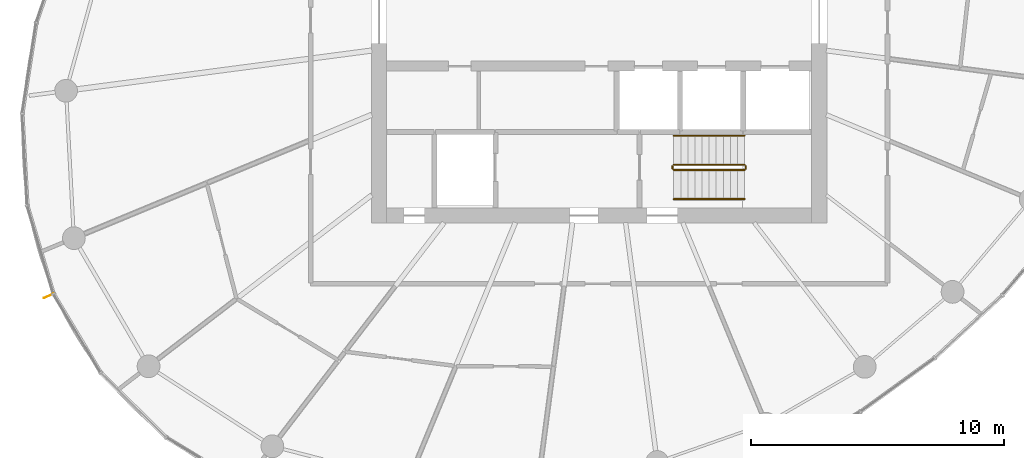
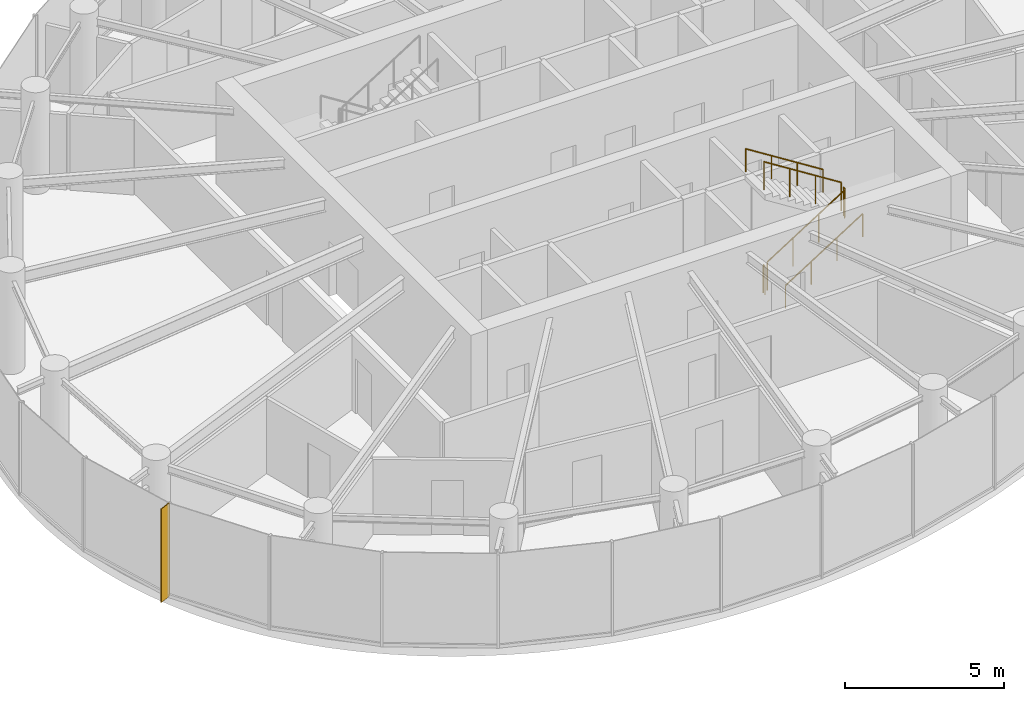
# One storey, part 13 of 14: 6 railings, 1 shading device.
"""IFC4 building model written with IfcOpenShell, lengths in metres."""

from ifc_helpers import new_model, si_unit, direction, frame, origin, origin_2d, place, context, subcontext, project, spatial, rectangle, circle, extrude, source, transform, mapped, material, material_profile, profile_set, type_object, element, save


model = new_model("IFC4")

# Units and contexts
model_context = context("Model", 3, precision=1e-05, world=origin(), true_north=direction((0.0, 1.0)))
body_context = subcontext(model_context, "Body", "Model", "MODEL_VIEW")
ifc_project = project(units=[si_unit("LENGTHUNIT", "METRE"), si_unit("AREAUNIT", "SQUARE_METRE"), si_unit("VOLUMEUNIT", "CUBIC_METRE"), si_unit("PLANEANGLEUNIT", "RADIAN"), si_unit("MASSUNIT", "GRAM", prefix="KILO")], contexts=[model_context])

# Site, building, storey
site_placement = place(None, origin())
site = spatial("IfcSite", under=ifc_project, at=site_placement, CompositionType="ELEMENT")
building_placement = place(site_placement, origin())
building = spatial("IfcBuilding", under=site, at=building_placement, Name="Spindrift Exchange Tower", CompositionType="ELEMENT")
storey_placement = place(building_placement, frame((0.0, 0.0, 203.300048828125)))
storey = spatial("IfcBuildingStorey", under=building, at=storey_placement, Name="L49", CompositionType="ELEMENT", Elevation=203.300048828125)

# Railings
ifc_material_1 = material(Name="Steel balustrade", Category="steel")
railing_type_1 = type_object("IfcRailingType", Name="RL-STAIR-GUARD", PredefinedType="GUARDRAIL", material=ifc_material_1)
railing_1_placement = place(storey_placement, frame((54.949951171875, 42.10009765625, 0.17724609375)))
element("IfcRailing", 1, at=railing_1_placement, inside=storey, type_object=railing_type_1, Name="L49 ST2 stair guard 1", PredefinedType="GUARDRAIL", context=body_context, shape_type="SweptSolid", body=[
    extrude(circle(Radius=0.02392578125, at=origin_2d()), frame((0.0, 0.0, 1.076171875), z_axis=(0.844908973607, 0.0, 0.534910110503), x_axis=(0.0, 1.0, 0.0)), (0.0, 0.0, 1.0), 3.31396484375),
    extrude(circle(Radius=0.02099609375, at=origin_2d()), origin(), (0.0, 0.0, 1.0), 1.052001953125),
    extrude(circle(Radius=0.02099609375, at=origin_2d()), frame((0.933349609375, 0.0, 0.5908203125)), (0.0, 0.0, 1.0), 1.052001953125),
    extrude(circle(Radius=0.02099609375, at=origin_2d()), frame((1.86669921875, 0.0, 1.181884765625)), (0.0, 0.0, 1.0), 1.052001953125),
    extrude(circle(Radius=0.02099609375, at=origin_2d()), frame((2.800048828125, 0.0, 1.772705078125)), (0.0, 0.0, 1.0), 1.052001953125),
])
railing_2_placement = place(storey_placement, frame((57.800048828125, 42.14990234375, 1.949951171875)))
element("IfcRailing", 2, at=railing_2_placement, inside=storey, type_object=railing_type_1, Name="L49 ST2 stair guard 2", PredefinedType="GUARDRAIL", context=body_context, shape_type="SweptSolid", body=[
    extrude(circle(Radius=0.02392578125, at=origin_2d()), frame((0.0, 0.0, 1.076171875), z_axis=(0.0, 1.0, 0.0), x_axis=(-1.0, 0.0, 0.0)), (0.0, 0.0, 1.0), 0.10009765625),
    extrude(circle(Radius=0.02099609375, at=origin_2d()), origin(), (0.0, 0.0, 1.0), 1.052001953125),
    extrude(circle(Radius=0.02099609375, at=origin_2d()), frame((0.0, 0.10009765625, 0.0)), (0.0, 0.0, 1.0), 1.052001953125),
])
railing_3_placement = place(storey_placement, frame((57.75, 42.300048828125, 2.127197265625)))
element("IfcRailing", 3, at=railing_3_placement, inside=storey, type_object=railing_type_1, Name="L49 ST2 stair guard 3", PredefinedType="GUARDRAIL", context=body_context, shape_type="SweptSolid", body=[
    extrude(circle(Radius=0.02392578125, at=origin_2d()), frame((0.0, 0.0, 1.076171875), z_axis=(-0.844908973607, 0.0, 0.534910110503), x_axis=(0.0, -1.0, 0.0)), (0.0, 0.0, 1.0), 3.31396484375),
    extrude(circle(Radius=0.02099609375, at=origin_2d()), origin(), (0.0, 0.0, 1.0), 1.052001953125),
    extrude(circle(Radius=0.02099609375, at=origin_2d()), frame((-0.933349609375, 0.0, 0.5908203125)), (0.0, 0.0, 1.0), 1.052001953125),
    extrude(circle(Radius=0.02099609375, at=origin_2d()), frame((-1.86669921875, 0.0, 1.181884765625)), (0.0, 0.0, 1.0), 1.052001953125),
    extrude(circle(Radius=0.02099609375, at=origin_2d()), frame((-2.800048828125, 0.0, 1.772705078125)), (0.0, 0.0, 1.0), 1.052001953125),
])
railing_4_placement = place(storey_placement, frame((54.89990234375, 42.14990234375, 0.0)))
element("IfcRailing", 4, at=railing_4_placement, inside=storey, type_object=railing_type_1, Name="L49 ST2 stair guard 4", PredefinedType="GUARDRAIL", context=body_context, shape_type="SweptSolid", body=[
    extrude(circle(Radius=0.02392578125, at=origin_2d()), frame((0.0, 0.0, 1.076171875), z_axis=(0.0, 1.0, 0.0), x_axis=(-1.0, 0.0, 0.0)), (0.0, 0.0, 1.0), 0.10009765625),
    extrude(circle(Radius=0.02099609375, at=origin_2d()), origin(), (0.0, 0.0, 1.0), 1.052001953125),
    extrude(circle(Radius=0.02099609375, at=origin_2d()), frame((0.0, 0.10009765625, 0.0)), (0.0, 0.0, 1.0), 1.052001953125),
])
ifc_material_2 = material(Name="Steel tubular handrail", Category="steel")
railing_type_2 = type_object("IfcRailingType", Name="RL-STAIR-HAND", PredefinedType="HANDRAIL", material=ifc_material_2)
railing_5_placement = place(storey_placement, frame((54.949951171875, 40.949951171875, 0.17724609375)))
element("IfcRailing", 5, at=railing_5_placement, inside=storey, type_object=railing_type_2, Name="L49 ST2 stair handrail 1", PredefinedType="HANDRAIL", context=body_context, shape_type="SweptSolid", body=[
    extrude(circle(Radius=0.02392578125, at=origin_2d()), frame((0.0, 0.0, 0.8759765625), z_axis=(0.844908973607, 0.0, 0.534910110503), x_axis=(0.0, 1.0, 0.0)), (0.0, 0.0, 1.0), 3.31396484375),
    extrude(circle(Radius=0.02099609375, at=origin_2d()), origin(), (0.0, 0.0, 1.0), 0.851806640625),
    extrude(circle(Radius=0.02099609375, at=origin_2d()), frame((0.933349609375, 0.0, 0.5908203125)), (0.0, 0.0, 1.0), 0.851806640625),
    extrude(circle(Radius=0.02099609375, at=origin_2d()), frame((1.86669921875, 0.0, 1.181884765625)), (0.0, 0.0, 1.0), 0.851806640625),
    extrude(circle(Radius=0.02099609375, at=origin_2d()), frame((2.800048828125, 0.0, 1.772705078125)), (0.0, 0.0, 1.0), 0.851806640625),
])
railing_6_placement = place(storey_placement, frame((57.75, 43.449951171875, 2.127197265625)))
element("IfcRailing", 6, at=railing_6_placement, inside=storey, type_object=railing_type_2, Name="L49 ST2 stair handrail 2", PredefinedType="HANDRAIL", context=body_context, shape_type="SweptSolid", body=[
    extrude(circle(Radius=0.02392578125, at=origin_2d()), frame((0.0, 0.0, 0.8759765625), z_axis=(-0.844908973607, 0.0, 0.534910110503), x_axis=(0.0, -1.0, 0.0)), (0.0, 0.0, 1.0), 3.31396484375),
    extrude(circle(Radius=0.02099609375, at=origin_2d()), origin(), (0.0, 0.0, 1.0), 0.851806640625),
    extrude(circle(Radius=0.02099609375, at=origin_2d()), frame((-0.933349609375, 0.0, 0.5908203125)), (0.0, 0.0, 1.0), 0.851806640625),
    extrude(circle(Radius=0.02099609375, at=origin_2d()), frame((-1.86669921875, 0.0, 1.181884765625)), (0.0, 0.0, 1.0), 0.851806640625),
    extrude(circle(Radius=0.02099609375, at=origin_2d()), frame((-2.800048828125, 0.0, 1.772705078125)), (0.0, 0.0, 1.0), 0.851806640625),
])

# Shading device
ifc_material_3 = material(Name="Bronze anodised aluminium", Category="aluminium")
ifc_material_profile = material_profile(ifc_material_3, rectangle(XDim=0.030029296875, YDim=0.449951171875, at=origin_2d()), Name="WIND FIN 30X450")
ifc_profile_set = profile_set([ifc_material_profile], Name="Bronze anodised aluminium")
shading_device_type = type_object("IfcShadingDeviceType", Name="WIND FIN 30X450", PredefinedType="USERDEFINED", material=ifc_profile_set)
shared_shape = source(origin(), body_context, "Body", "SweptSolid", [
    extrude(rectangle(XDim=0.030029296875, YDim=0.449951171875, at=origin_2d()), origin(), (0.0, 0.0, 1.0), 3.579833984375),
])
shading_device_placement = place(storey_placement, frame((30.260498046875, 37.12451171875, 0.0), z_axis=(0.0, 0.0, 1.0), x_axis=(0.402495864118, -0.915421804071, 0.0)))
element("IfcShadingDevice", 7, at=shading_device_placement, inside=storey, type_object=shading_device_type, Name="L49 wind fin 1", ObjectType="FIN", PredefinedType="USERDEFINED", context=body_context, shape_type="MappedRepresentation", body=[
    mapped(shared_shape, transform((0.0, 0.0, 0.0), scale=1.0)),
])

save(model, "model.ifc")
